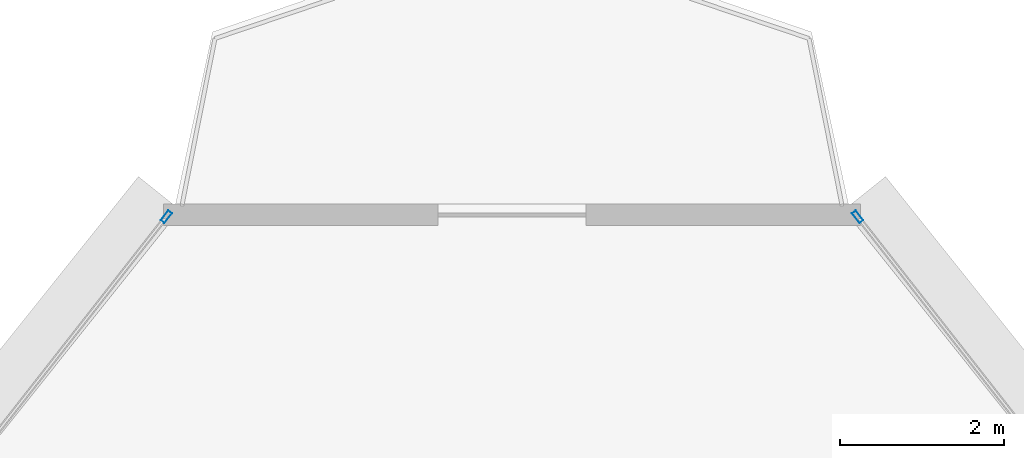
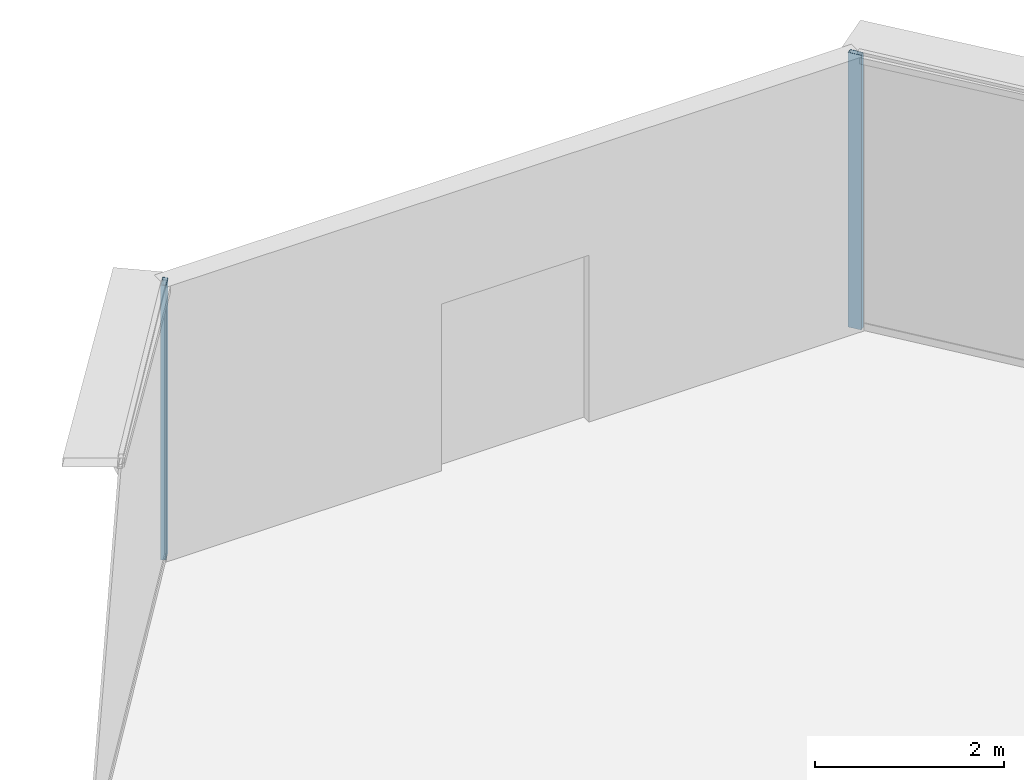
# One storey, part 27 of 37: 2 members, 2 elements without a shape of their own.
"""IFC4 building model written with IfcOpenShell, lengths in metres."""

from ifc_helpers import new_model, si_unit, direction, frame, origin, origin_2d, place, context, subcontext, project, spatial, hollow_rectangle, extrude, source, transform, mapped, material, layer, layer_set, material_profile, profile_set, type_object, element, aggregate, save


model = new_model("IFC4")

# Units and contexts
model_context = context("Model", 3, precision=1e-05, world=origin(), true_north=direction((0.0, 1.0)))
body_context = subcontext(model_context, "Body", "Model", "MODEL_VIEW")
ifc_project = project(units=[si_unit("LENGTHUNIT", "METRE"), si_unit("AREAUNIT", "SQUARE_METRE"), si_unit("VOLUMEUNIT", "CUBIC_METRE"), si_unit("PLANEANGLEUNIT", "RADIAN"), si_unit("MASSUNIT", "GRAM", prefix="KILO"), si_unit("THERMODYNAMICTEMPERATUREUNIT", "KELVIN"), si_unit("POWERUNIT", "WATT")], contexts=[model_context])

# Site, building, storey
site_placement = place(None, origin())
site = spatial("IfcSite", under=ifc_project, at=site_placement, CompositionType="ELEMENT")
building_placement = place(site_placement, origin())
building = spatial("IfcBuilding", under=site, at=building_placement, Name="Yunzhuo Pagoda Commons", CompositionType="ELEMENT")
storey_placement = place(building_placement, frame((0.0, 0.0, 199.9599609375)))
storey = spatial("IfcBuildingStorey", under=building, at=storey_placement, Name="L50", CompositionType="ELEMENT", Elevation=199.9599609375)

# Curtain wall, member
ifc_material = material(Name="Anodized aluminium 6063-T6", Category="aluminium")
ifc_layer = layer(ifc_material, 0.14990234375)
ifc_layer_set = layer_set([ifc_layer], Name="Anodized aluminium 6063-T6")
curtain_wall_type = type_object("IfcCurtainWallType", Name="CW-MID Mid-Zone Ribbon Curtain Wall", PredefinedType="NOTDEFINED", material=ifc_layer_set)
curtain_wall_1_placement = place(storey_placement, origin())
curtain_wall_1 = element("IfcCurtainWall", 1, at=curtain_wall_1_placement, inside=storey, type_object=curtain_wall_type, Name="L50 curtain wall CW-L50-F2B5", PredefinedType="NOTDEFINED")
ifc_material_profile = material_profile(ifc_material, hollow_rectangle(XDim=0.06005859375, YDim=0.14990234375, WallThickness=0.00390625, at=origin_2d()), Name="Anodized aluminium 6063-T6")
ifc_profile_set = profile_set([ifc_material_profile], Name="Anodized aluminium 6063-T6")
member_type = type_object("IfcMemberType", Name="CW-MID-M Mullion RHS 150x60x4", PredefinedType="MULLION", material=ifc_profile_set)
shared_shape = source(origin(), body_context, "Body", "SweptSolid", [
    extrude(hollow_rectangle(XDim=0.06005859375, YDim=0.14990234375, WallThickness=0.00390625, at=origin_2d()), origin(), (0.0, 0.0, 1.0), 3.5400390625),
])
member_1_placement = place(storey_placement, frame((52.213623046875, 83.143798828125, 0.0), z_axis=(0.0, 0.0, 1.0), x_axis=(-0.787049910454, -0.616889324316, 0.0)))
member_1 = element("IfcMember", 2, at=member_1_placement, type_object=member_type, Name="CW mullion 2", PredefinedType="MULLION", context=body_context, shape_type="MappedRepresentation", body=[
    mapped(shared_shape, transform((0.0, 0.0, 0.0), scale=1.0)),
])
aggregate(curtain_wall_1, [member_1])

curtain_wall_2_placement = place(storey_placement, origin())
curtain_wall_2 = element("IfcCurtainWall", 3, at=curtain_wall_2_placement, inside=storey, type_object=curtain_wall_type, Name="L50 curtain wall CW-L50-F3B1", PredefinedType="NOTDEFINED")
member_2_placement = place(storey_placement, frame((43.786376953125, 83.143798828125, 0.0), z_axis=(0.0, 0.0, 1.0), x_axis=(0.787049910454, -0.616889324316, 0.0)))
member_2 = element("IfcMember", 4, at=member_2_placement, type_object=member_type, Name="CW mullion 1", PredefinedType="MULLION", context=body_context, shape_type="MappedRepresentation", body=[
    mapped(shared_shape, transform((0.0, 0.0, 0.0), scale=1.0)),
])
aggregate(curtain_wall_2, [member_2])

save(model, "model.ifc")
